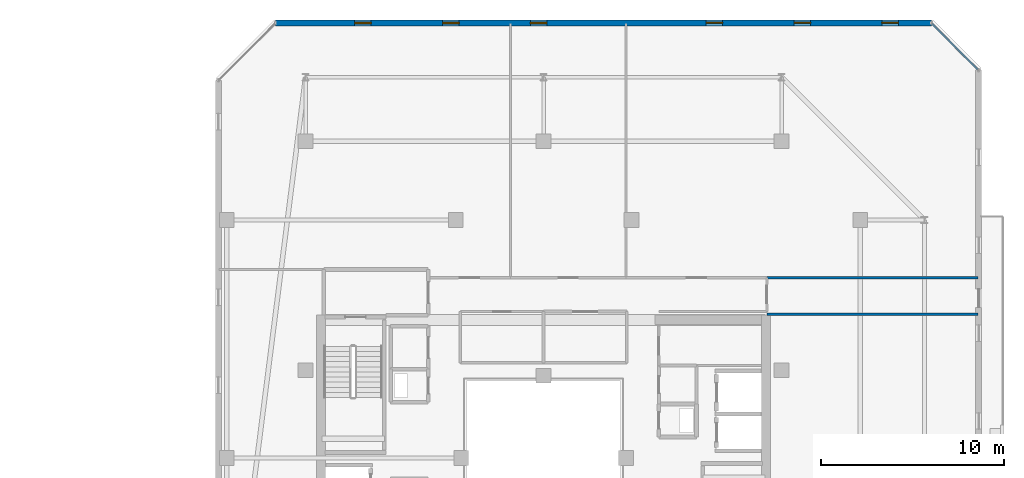
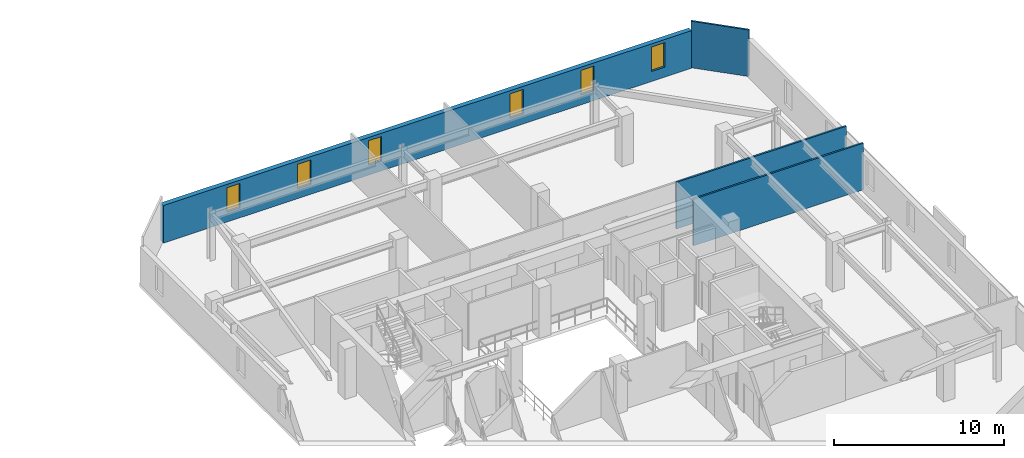
# One storey, part 28 of 35: 6 windows, 4 walls, 6 openings.
"""IFC4 building model written with IfcOpenShell, lengths in metres."""

from ifc_helpers import new_model, si_unit, direction, frame, frame_2d, origin, place, context, subcontext, project, spatial, rectangle, extrude, material, layer, layer_set, type_object, element, fill, save


model = new_model("IFC4")

# Units and contexts
model_context = context("Model", 3, precision=1e-05, world=origin(), true_north=direction((0.0, 1.0)))
body_context = subcontext(model_context, "Body", "Model", "MODEL_VIEW")
ifc_project = project(units=[si_unit("LENGTHUNIT", "METRE"), si_unit("AREAUNIT", "SQUARE_METRE"), si_unit("VOLUMEUNIT", "CUBIC_METRE"), si_unit("PLANEANGLEUNIT", "RADIAN"), si_unit("MASSUNIT", "GRAM", prefix="KILO")], contexts=[model_context])

# Site, building, storey
site_placement = place(None, origin())
site = spatial("IfcSite", under=ifc_project, at=site_placement, CompositionType="ELEMENT")
building_placement = place(site_placement, origin())
building = spatial("IfcBuilding", under=site, at=building_placement, Name="Thornwick Lancets Civic Towers", CompositionType="ELEMENT")
storey_placement = place(building_placement, frame((0.0, 0.0, 269.10009765625)))
storey = spatial("IfcBuildingStorey", under=building, at=storey_placement, Name="L72", CompositionType="ELEMENT", Elevation=269.10009765625)

# Wall, openings, windows
ifc_material_1 = material(Name="Insulated buff terracotta rainscreen on concrete C40/50", Category="masonry")
ifc_layer_1 = layer(ifc_material_1, 0.320068359375, Name="Insulated buff terracotta rainscreen on concrete C40/50")
ifc_layer_set_1 = layer_set([ifc_layer_1], Name="Insulated buff terracotta rainscreen on concrete C40/50")
wall_type_1 = type_object("IfcWallType", Name="WALL_EXT_TERRA_320", PredefinedType="STANDARD", material=ifc_layer_set_1)
wall_1_placement = place(storey_placement, frame((109.681396484375, 50.7646484375, 0.0), z_axis=(0.0, 0.0, 1.0), x_axis=(-0.999999998513, -5.4540124e-05, 0.0)))
wall_1 = element("IfcWall", 1, at=wall_1_placement, inside=storey, type_object=wall_type_1, Name="L72 Tower B Terracotta Facade Wall E4", PredefinedType="STANDARD", context=body_context, shape_type="SweptSolid", body=[
    extrude(rectangle(XDim=35.810791015625, YDim=0.320068359375, at=frame_2d((17.9052734375, 0.0))), origin(), (0.0, 0.0, 1.0), 2.699951171875),
])
opening_1_placement = place(wall_1_placement, frame((1.800048828125, 0.0, 0.719970703125)))
opening_1 = element("IfcOpeningElement", 2, at=opening_1_placement, cuts=wall_1, Name="Opening WL-01", PredefinedType="OPENING", context=body_context, shape_type="SweptSolid", body=[
    extrude(rectangle(XDim=0.89990234375, YDim=1.75, at=frame_2d((0.449951171875, 0.875))), frame((0.0, 0.169921875, 0.0), z_axis=(0.0, -1.0, 0.0), x_axis=(1.0, 0.0, 0.0)), (0.0, 0.0, 1.0), 0.340087890625),
])
opening_2_placement = place(wall_1_placement, frame((6.60009765625, 0.0, 0.719970703125)))
opening_2 = element("IfcOpeningElement", 3, at=opening_2_placement, cuts=wall_1, Name="Opening WL-01", PredefinedType="OPENING", context=body_context, shape_type="SweptSolid", body=[
    extrude(rectangle(XDim=0.89990234375, YDim=1.75, at=frame_2d((0.449951171875, 0.875))), frame((0.0, 0.169921875, 0.0), z_axis=(0.0, -1.0, 0.0), x_axis=(1.0, 0.0, 0.0)), (0.0, 0.0, 1.0), 0.340087890625),
])
opening_3_placement = place(wall_1_placement, frame((11.39990234375, 0.0, 0.719970703125)))
opening_3 = element("IfcOpeningElement", 4, at=opening_3_placement, cuts=wall_1, Name="Opening WL-01", PredefinedType="OPENING", context=body_context, shape_type="SweptSolid", body=[
    extrude(rectangle(XDim=0.89990234375, YDim=1.75, at=frame_2d((0.449951171875, 0.875))), frame((0.0, 0.169921875, 0.0), z_axis=(0.0, -1.0, 0.0), x_axis=(1.0, 0.0, 0.0)), (0.0, 0.0, 1.0), 0.340087890625),
])
opening_4_placement = place(wall_1_placement, frame((21.0, 0.0, 0.719970703125)))
opening_4 = element("IfcOpeningElement", 5, at=opening_4_placement, cuts=wall_1, Name="Opening WL-01", PredefinedType="OPENING", context=body_context, shape_type="SweptSolid", body=[
    extrude(rectangle(XDim=0.89990234375, YDim=1.75, at=frame_2d((0.449951171875, 0.875))), frame((0.0, 0.169921875, 0.0), z_axis=(0.0, -1.0, 0.0), x_axis=(1.0, 0.0, 0.0)), (0.0, 0.0, 1.0), 0.340087890625),
])
opening_5_placement = place(wall_1_placement, frame((25.800048828125, 0.0, 0.719970703125)))
opening_5 = element("IfcOpeningElement", 6, at=opening_5_placement, cuts=wall_1, Name="Opening WL-01", PredefinedType="OPENING", context=body_context, shape_type="SweptSolid", body=[
    extrude(rectangle(XDim=0.89990234375, YDim=1.75, at=frame_2d((0.449951171875, 0.875))), frame((0.0, 0.169921875, 0.0), z_axis=(0.0, -1.0, 0.0), x_axis=(1.0, 0.0, 0.0)), (0.0, 0.0, 1.0), 0.340087890625),
])
opening_6_placement = place(wall_1_placement, frame((30.60009765625, 0.0, 0.719970703125)))
opening_6 = element("IfcOpeningElement", 7, at=opening_6_placement, cuts=wall_1, Name="Opening WL-01", PredefinedType="OPENING", context=body_context, shape_type="SweptSolid", body=[
    extrude(rectangle(XDim=0.89990234375, YDim=1.75, at=frame_2d((0.449951171875, 0.875))), frame((0.0, 0.169921875, 0.0), z_axis=(0.0, -1.0, 0.0), x_axis=(1.0, 0.0, 0.0)), (0.0, 0.0, 1.0), 0.340087890625),
])
ifc_material_2 = material(Name="Clear low-e double glazing in bronze frame", Category="glass")
window_type = type_object("IfcWindowType", Name="WIN_LANCET_900", PartitioningType="SINGLE_PANEL", PredefinedType="WINDOW", material=ifc_material_2)
window_1_placement = place(opening_1_placement, origin())
window_1 = element("IfcWindow", 8, at=window_1_placement, inside=storey, type_object=window_type, Name="L72 Tower B Staggered Lancet Window E4-1", OverallHeight=1.75, OverallWidth=0.89990234375, PartitioningType="SINGLE_PANEL", PredefinedType="WINDOW", context=body_context, shape_type="SweptSolid", body=[
    extrude(rectangle(XDim=0.89990234375, YDim=1.75, at=frame_2d((0.449951171875, 0.875))), frame((0.0, 0.030029296875, 0.0), z_axis=(0.0, -1.0, 0.0), x_axis=(1.0, 0.0, 0.0)), (0.0, 0.0, 1.0), 0.06005859375),
])
fill(opening_1, window_1)
window_2_placement = place(opening_2_placement, origin())
window_2 = element("IfcWindow", 9, at=window_2_placement, inside=storey, type_object=window_type, Name="L72 Tower B Staggered Lancet Window E4-2", OverallHeight=1.75, OverallWidth=0.89990234375, PartitioningType="SINGLE_PANEL", PredefinedType="WINDOW", context=body_context, shape_type="SweptSolid", body=[
    extrude(rectangle(XDim=0.89990234375, YDim=1.75, at=frame_2d((0.449951171875, 0.875))), frame((0.0, 0.030029296875, 0.0), z_axis=(0.0, -1.0, 0.0), x_axis=(1.0, 0.0, 0.0)), (0.0, 0.0, 1.0), 0.06005859375),
])
fill(opening_2, window_2)
window_3_placement = place(opening_3_placement, origin())
window_3 = element("IfcWindow", 10, at=window_3_placement, inside=storey, type_object=window_type, Name="L72 Tower B Staggered Lancet Window E4-3", OverallHeight=1.75, OverallWidth=0.89990234375, PartitioningType="SINGLE_PANEL", PredefinedType="WINDOW", context=body_context, shape_type="SweptSolid", body=[
    extrude(rectangle(XDim=0.89990234375, YDim=1.75, at=frame_2d((0.449951171875, 0.875))), frame((0.0, 0.030029296875, 0.0), z_axis=(0.0, -1.0, 0.0), x_axis=(1.0, 0.0, 0.0)), (0.0, 0.0, 1.0), 0.06005859375),
])
fill(opening_3, window_3)
window_4_placement = place(opening_4_placement, origin())
window_4 = element("IfcWindow", 11, at=window_4_placement, inside=storey, type_object=window_type, Name="L72 Tower B Staggered Lancet Window E4-4", OverallHeight=1.75, OverallWidth=0.89990234375, PartitioningType="SINGLE_PANEL", PredefinedType="WINDOW", context=body_context, shape_type="SweptSolid", body=[
    extrude(rectangle(XDim=0.89990234375, YDim=1.75, at=frame_2d((0.449951171875, 0.875))), frame((0.0, 0.030029296875, 0.0), z_axis=(0.0, -1.0, 0.0), x_axis=(1.0, 0.0, 0.0)), (0.0, 0.0, 1.0), 0.06005859375),
])
fill(opening_4, window_4)
window_5_placement = place(opening_5_placement, origin())
window_5 = element("IfcWindow", 12, at=window_5_placement, inside=storey, type_object=window_type, Name="L72 Tower B Staggered Lancet Window E4-5", OverallHeight=1.75, OverallWidth=0.89990234375, PartitioningType="SINGLE_PANEL", PredefinedType="WINDOW", context=body_context, shape_type="SweptSolid", body=[
    extrude(rectangle(XDim=0.89990234375, YDim=1.75, at=frame_2d((0.449951171875, 0.875))), frame((0.0, 0.030029296875, 0.0), z_axis=(0.0, -1.0, 0.0), x_axis=(1.0, 0.0, 0.0)), (0.0, 0.0, 1.0), 0.06005859375),
])
fill(opening_5, window_5)
window_6_placement = place(opening_6_placement, origin())
window_6 = element("IfcWindow", 13, at=window_6_placement, inside=storey, type_object=window_type, Name="L72 Tower B Staggered Lancet Window E4-6", OverallHeight=1.75, OverallWidth=0.89990234375, PartitioningType="SINGLE_PANEL", PredefinedType="WINDOW", context=body_context, shape_type="SweptSolid", body=[
    extrude(rectangle(XDim=0.89990234375, YDim=1.75, at=frame_2d((0.449951171875, 0.875))), frame((0.0, 0.030029296875, 0.0), z_axis=(0.0, -1.0, 0.0), x_axis=(1.0, 0.0, 0.0)), (0.0, 0.0, 1.0), 0.06005859375),
])
fill(opening_6, window_6)

# Walls
ifc_material_3 = material(Name="Acoustic gypsum board partition")
ifc_layer_2 = layer(ifc_material_3, 0.1201171875, Name="Acoustic gypsum board partition")
ifc_layer_set_2 = layer_set([ifc_layer_2], Name="Acoustic gypsum board partition")
wall_type_2 = type_object("IfcWallType", Name="WALL_PART_120", PredefinedType="PARTITIONING", material=ifc_layer_set_2)
for number, where, z_axis, x_axis, name in (
    (14, (100.699951171875, 36.85009765625, 0.0), (0.0, 0.0, 1.0), (1.0, 0.0, 0.0), "L72 Partition L72-B-RECLAIM-L E4"),
    (15, (112.219970703125, 34.85009765625, 0.0), (0.0, 0.0, 1.0), (-1.0, 0.0, 0.0), "L72 Partition L72-B-RECLAIM-L E6"),
):
    element("IfcWall", number, at=place(storey_placement, frame(where, z_axis=z_axis, x_axis=x_axis)), inside=storey, type_object=wall_type_2, Name=name, PredefinedType="PARTITIONING", context=body_context, shape_type="SweptSolid", body=[
        extrude(rectangle(XDim=11.52001953125, YDim=0.1201171875, at=frame_2d((5.760009765625, 0.0))), origin(), (0.0, 0.0, 1.0), 3.33984375),
    ])
wall_2_placement = place(storey_placement, frame((109.725341796875, 50.719970703125, 0.0), z_axis=(0.0, 0.0, 1.0), x_axis=(0.707106781187, -0.707106781187, 0.0)))
element("IfcWall", 16, at=wall_2_placement, inside=storey, type_object=wall_type_2, Name="L72 Partition L72-B-E1 E4", PredefinedType="PARTITIONING", context=body_context, shape_type="SweptSolid", body=[
    extrude(rectangle(XDim=3.52783203125, YDim=0.1201171875, at=frame_2d((1.763916015625, 0.0))), origin(), (0.0, 0.0, 1.0), 3.33984375),
])

save(model, "model.ifc")
